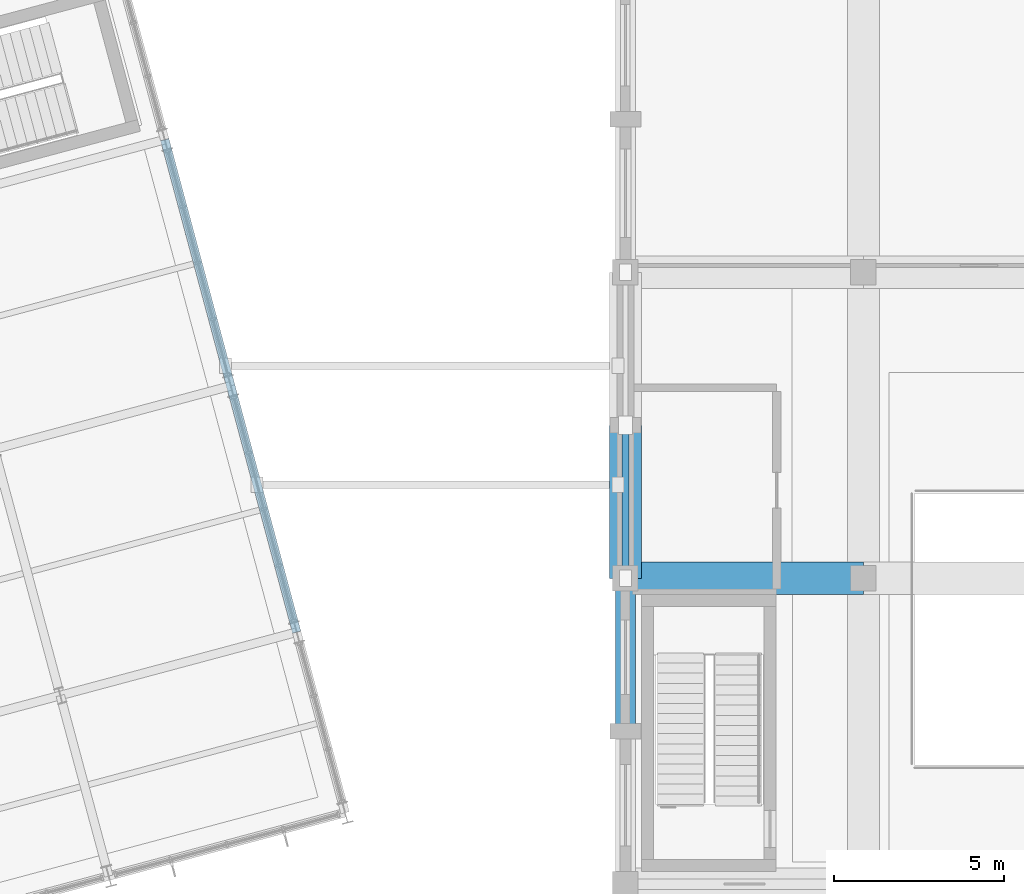
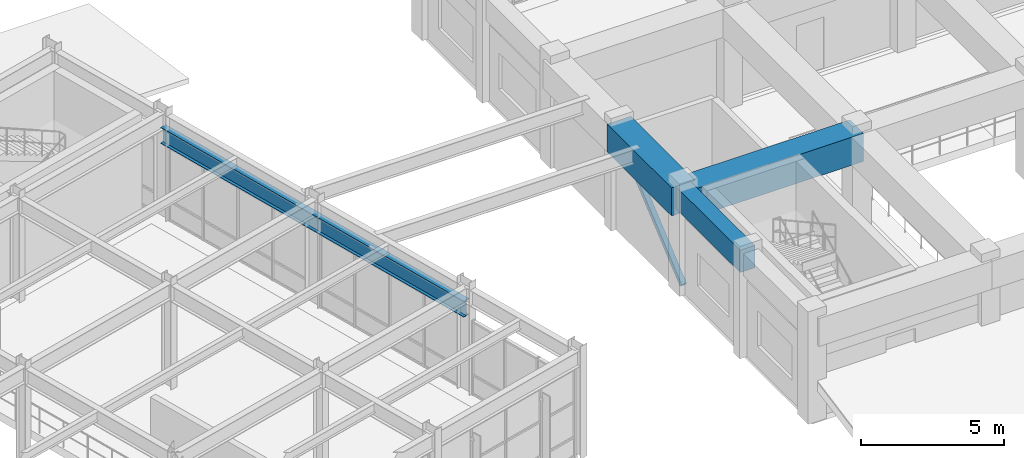
# One storey, part 51 of 104: 4 beams, 1 member.
"""IFC4 building model written with IfcOpenShell, lengths in metres."""

from ifc_helpers import new_model, si_unit, direction, frame, origin, origin_2d, place, context, subcontext, project, spatial, rectangle, hollow_rectangle, i_section, extrude, material, material_profile, profile_set, type_object, element, save


model = new_model("IFC4")

# Units and contexts
model_context = context("Model", 3, precision=1e-05, world=origin(), true_north=direction((0.0, 1.0)))
body_context = subcontext(model_context, "Body", "Model", "MODEL_VIEW")
ifc_project = project(units=[si_unit("LENGTHUNIT", "METRE"), si_unit("AREAUNIT", "SQUARE_METRE"), si_unit("VOLUMEUNIT", "CUBIC_METRE"), si_unit("PLANEANGLEUNIT", "RADIAN"), si_unit("MASSUNIT", "GRAM", prefix="KILO")], contexts=[model_context])

# Site, building, storey
site_placement = place(None, origin())
site = spatial("IfcSite", under=ifc_project, at=site_placement, CompositionType="ELEMENT")
building_placement = place(site_placement, origin())
building = spatial("IfcBuilding", under=site, at=building_placement, Name="Ventoquebrada Cableway Terminal", CompositionType="ELEMENT")
storey_placement = place(building_placement, frame((0.0, 0.0, 4.800048828125)))
storey = spatial("IfcBuildingStorey", under=building, at=storey_placement, Name="L01", CompositionType="ELEMENT", Elevation=4.800048828125)

# Beams
ifc_material_1 = material(Name="Concrete C40/50", Category="concrete")
ifc_material_profile_1 = material_profile(ifc_material_1, rectangle(XDim=0.60009765625, YDim=0.949951171875, at=origin_2d()), Name="RC-BM-600X950")
ifc_profile_set_1 = profile_set([ifc_material_profile_1], Name="Concrete C40/50")
beam_type_1 = type_object("IfcBeamType", Name="BM-RC05", PredefinedType="BEAM", material=ifc_profile_set_1)
beam_1_placement = place(storey_placement, frame((95.0, 81.5, 3.974853515625), z_axis=(0.0, 1.0, 0.0), x_axis=(-1.0, 0.0, 0.0)))
element("IfcBeam", 1, at=beam_1_placement, inside=storey, type_object=beam_type_1, Name="Perimeter spandrel beam FBM-0644", PredefinedType="BEAM", context=body_context, shape_type="SweptSolid", body=[
    extrude(rectangle(XDim=0.60009765625, YDim=0.949951171875, at=origin_2d()), origin(), (0.0, 0.0, 1.0), 4.5),
])
ifc_material_profile_2 = material_profile(ifc_material_1, rectangle(XDim=0.949951171875, YDim=1.199951171875, at=origin_2d()), Name="RC-BM-950X1200")
ifc_profile_set_2 = profile_set([ifc_material_profile_2], Name="Concrete C40/50")
beam_type_2 = type_object("IfcBeamType", Name="BM-RC06", PredefinedType="BEAM", material=ifc_profile_set_2)
beam_2_placement = place(storey_placement, frame((95.0, 86.0, 3.849853515625), z_axis=(1.0, 0.0, 0.0), x_axis=(0.0, 1.0, 0.0)))
element("IfcBeam", 2, at=beam_2_placement, inside=storey, type_object=beam_type_2, Name="Primary frame girder FBM-0631", PredefinedType="BEAM", context=body_context, shape_type="SweptSolid", body=[
    extrude(rectangle(XDim=0.949951171875, YDim=1.199951171875, at=origin_2d()), origin(), (0.0, 0.0, 1.0), 7.0),
])
beam_3_placement = place(storey_placement, frame((95.0, 86.0, 3.849853515625), z_axis=(0.0, 1.0, 0.0), x_axis=(-1.0, 0.0, 0.0)))
element("IfcBeam", 3, at=beam_3_placement, inside=storey, type_object=beam_type_2, Name="Perimeter spandrel beam FBM-0645", PredefinedType="BEAM", context=body_context, shape_type="SweptSolid", body=[
    extrude(rectangle(XDim=0.949951171875, YDim=1.199951171875, at=origin_2d()), origin(), (0.0, 0.0, 1.0), 4.5),
])
ifc_material_2 = material(Name="Steel ASTM A992 Grade 50", Category="steel")
ifc_material_profile_3 = material_profile(ifc_material_2, i_section(OverallWidth=0.25390625, OverallDepth=0.68798828125, WebThickness=0.01318359375, FlangeThickness=0.02099609375, at=origin_2d()), Name="W27X102")
ifc_profile_set_3 = profile_set([ifc_material_profile_3], Name="Steel ASTM A992 Grade 50")
beam_type_3 = type_object("IfcBeamType", Name="BM-ST04", PredefinedType="BEAM", material=ifc_profile_set_3)
beam_4_placement = place(storey_placement, frame((85.327880859375, 84.4140625, 3.509033203125), z_axis=(-0.258788966214, 0.965933885401, 0.0), x_axis=(-0.965933885401, -0.258788966214, 0.0)))
element("IfcBeam", 4, at=beam_4_placement, inside=storey, type_object=beam_type_3, Name="Bridge support girder LP-3 FBM-1115", PredefinedType="BEAM", context=body_context, shape_type="SweptSolid", body=[
    extrude(i_section(OverallWidth=0.25390625, OverallDepth=0.68798828125, WebThickness=0.01318359375, FlangeThickness=0.02099609375, at=origin_2d()), origin(), (0.0, 0.0, 1.0), 15.0),
])

# Member
ifc_material_3 = material(Name="Steel ASTM A500 Grade C", Category="steel")
ifc_material_profile_4 = material_profile(ifc_material_3, hollow_rectangle(XDim=0.199951171875, YDim=0.199951171875, WallThickness=0.010009765625, at=origin_2d()), Name="HSS200X200X10")
ifc_profile_set_4 = profile_set([ifc_material_profile_4], Name="Steel ASTM A500 Grade C")
member_type = type_object("IfcMemberType", Name="BRC-FR01", PredefinedType="BRACE", material=ifc_profile_set_4)
member_placement = place(storey_placement, frame((95.0, 86.0, 0.14990234375), z_axis=(0.0, 0.764025829276, 0.645185657155), x_axis=(-1.0, 0.0, 0.0)))
element("IfcMember", 5, at=member_placement, inside=storey, type_object=member_type, Name="Concentric lateral chevron brace BR-0537", PredefinedType="BRACE", context=body_context, shape_type="SweptSolid", body=[
    extrude(hollow_rectangle(XDim=0.199951171875, YDim=0.199951171875, WallThickness=0.010009765625, at=origin_2d()), origin(), (0.0, 0.0, 1.0), 5.889892578125),
])

save(model, "model.ifc")
